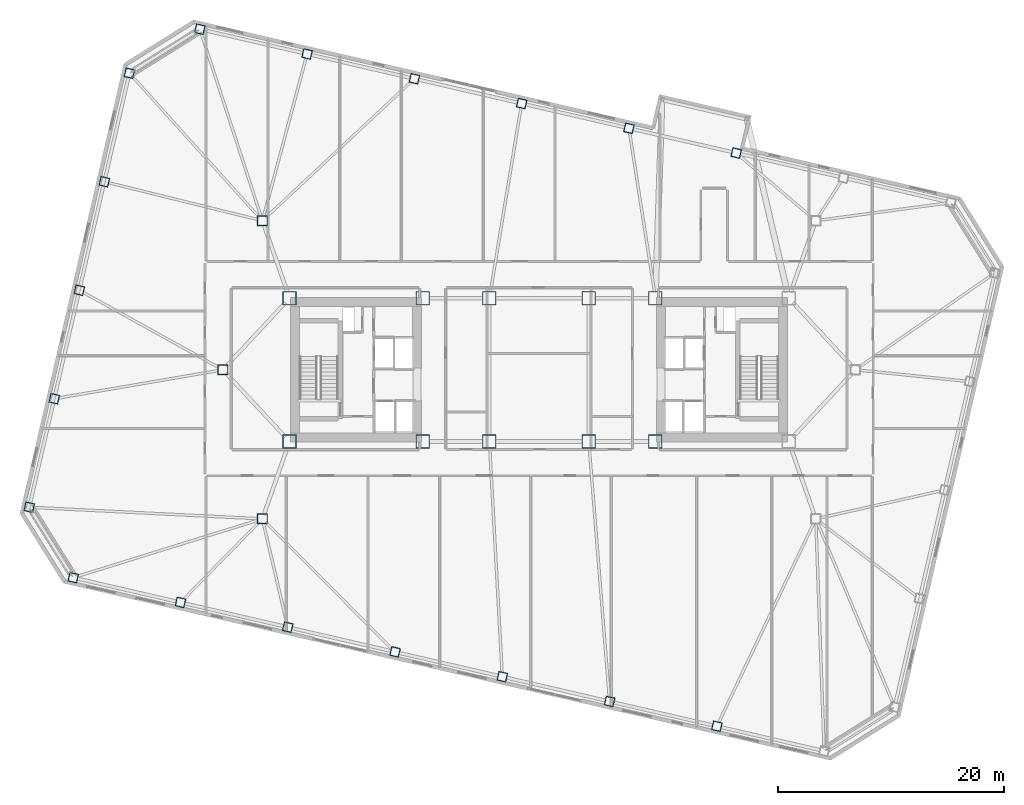
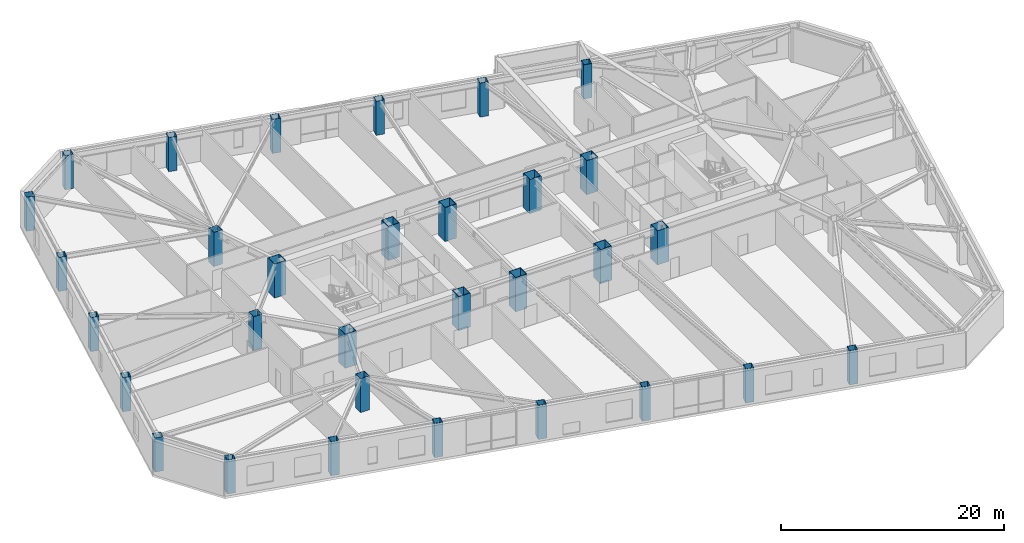
# One storey, part 1 of 20: 31 columns.
"""IFC4 building model written with IfcOpenShell, lengths in metres."""

from ifc_helpers import new_model, si_unit, direction, frame, origin, origin_2d, place, context, subcontext, project, spatial, hollow_rectangle, extrude, material, material_profile, profile_set, type_object, element, save


model = new_model("IFC4")

# Units and contexts
model_context = context("Model", 3, precision=1e-05, world=origin(), true_north=direction((0.0, 1.0)))
body_context = subcontext(model_context, "Body", "Model", "MODEL_VIEW")
ifc_project = project(units=[si_unit("LENGTHUNIT", "METRE"), si_unit("AREAUNIT", "SQUARE_METRE"), si_unit("VOLUMEUNIT", "CUBIC_METRE"), si_unit("PLANEANGLEUNIT", "RADIAN"), si_unit("MASSUNIT", "GRAM", prefix="KILO")], contexts=[model_context])

# Site, building, storey
site_placement = place(None, origin())
site = spatial("IfcSite", under=ifc_project, at=site_placement, CompositionType="ELEMENT")
building_placement = place(site_placement, origin())
building = spatial("IfcBuilding", under=site, at=building_placement, Name="Tavrogorsk Clinical Tower", CompositionType="ELEMENT")
storey_placement = place(building_placement, frame((0.0, 0.0, 67.39990234375)))
storey = spatial("IfcBuildingStorey", under=building, at=storey_placement, Name="L14", CompositionType="ELEMENT", Elevation=67.39990234375)

# Columns
ifc_material_1 = material(Name="Structural steel S440", Category="steel")
ifc_material_profile_1 = material_profile(ifc_material_1, hollow_rectangle(XDim=1.199951171875, YDim=1.199951171875, WallThickness=0.050048828125, at=origin_2d()), Name="BOX-1200x1200x50")
ifc_profile_set_1 = profile_set([ifc_material_profile_1], Name="Structural steel S440")
column_type_1 = type_object("IfcColumnType", Name="MegaCol_BOX1200", PredefinedType="COLUMN", material=ifc_profile_set_1)
for number, where, z_axis, x_axis, name in (
    (1, (-22.10009765625, -6.35009765625, 0.0), (0.0, 0.0, 1.0), (1.0, 0.0, 0.0), "L14 Mega Column MC-W1"),
    (2, (-22.10009765625, 6.35009765625, 0.0), (0.0, 0.0, 1.0), (1.0, 0.0, 0.0), "L14 Mega Column MC-W2"),
    (3, (-10.300048828125, -6.35009765625, 0.0), (0.0, 0.0, 1.0), (1.0, 0.0, 0.0), "L14 Mega Column MC-W3"),
    (4, (-10.300048828125, 6.35009765625, 0.0), (0.0, 0.0, 1.0), (1.0, 0.0, 0.0), "L14 Mega Column MC-W4"),
    (5, (10.300048828125, -6.35009765625, 0.0), (0.0, 0.0, 1.0), (1.0, 0.0, 0.0), "L14 Mega Column MC-E1"),
    (6, (10.300048828125, 6.35009765625, 0.0), (0.0, 0.0, 1.0), (1.0, 0.0, 0.0), "L14 Mega Column MC-E2"),
    (7, (-4.39990234375, -6.35009765625, 0.0), (0.0, 0.0, 1.0), (1.0, 0.0, 0.0), "L14 Mega Column MC-C1"),
    (8, (4.39990234375, -6.35009765625, 0.0), (0.0, 0.0, 1.0), (1.0, 0.0, 0.0), "L14 Mega Column MC-C2"),
    (9, (-4.39990234375, 6.35009765625, 0.0), (0.0, 0.0, 1.0), (1.0, 0.0, 0.0), "L14 Mega Column MC-C3"),
    (10, (4.39990234375, 6.35009765625, 0.0), (0.0, 0.0, 1.0), (1.0, 0.0, 0.0), "L14 Mega Column MC-C4"),
):
    element("IfcColumn", number, at=place(storey_placement, frame(where, z_axis=z_axis, x_axis=x_axis)), inside=storey, type_object=column_type_1, Name=name, PredefinedType="COLUMN", context=body_context, shape_type="SweptSolid", body=[
        extrude(hollow_rectangle(XDim=1.199951171875, YDim=1.199951171875, WallThickness=0.050048828125, at=origin_2d()), origin(), (0.0, 0.0, 1.0), 3.739990234375),
    ])
ifc_material_2 = material(Name="Structural steel S440", Category="steel")
ifc_material_profile_2 = material_profile(ifc_material_2, hollow_rectangle(XDim=0.89990234375, YDim=0.89990234375, WallThickness=0.0400390625, at=origin_2d()), Name="BOX-900x900x40")
ifc_profile_set_2 = profile_set([ifc_material_profile_2], Name="Structural steel S440")
column_type_2 = type_object("IfcColumnType", Name="MegaCol_BOX900", PredefinedType="COLUMN", material=ifc_profile_set_2)
for number, where, z_axis, x_axis, name in (
    (11, (-24.5, -13.199951171875, 0.0), (0.0, 0.0, 1.0), (1.0, 0.0, 0.0), "L14 Spine Pilotis Column MC-P1"),
    (12, (-24.5, 13.199951171875, 0.0), (0.0, 0.0, 1.0), (1.0, 0.0, 0.0), "L14 Spine Pilotis Column MC-P3"),
    (13, (-28.0, 0.0, 0.0), (0.0, 0.0, 1.0), (1.0, 0.0, 0.0), "L14 Spine Pilotis Column MC-P5"),
):
    element("IfcColumn", number, at=place(storey_placement, frame(where, z_axis=z_axis, x_axis=x_axis)), inside=storey, type_object=column_type_2, Name=name, PredefinedType="COLUMN", context=body_context, shape_type="SweptSolid", body=[
        extrude(hollow_rectangle(XDim=0.89990234375, YDim=0.89990234375, WallThickness=0.0400390625, at=origin_2d()), origin(), (0.0, 0.0, 1.0), 3.739990234375),
    ])
ifc_material_3 = material(Name="Structural steel S440", Category="steel")
ifc_material_profile_3 = material_profile(ifc_material_3, hollow_rectangle(XDim=0.800048828125, YDim=0.800048828125, WallThickness=0.035888671875, at=origin_2d()), Name="BOX-800x800x36")
ifc_profile_set_3 = profile_set([ifc_material_profile_3], Name="Structural steel S440")
column_type_3 = type_object("IfcColumnType", Name="PerimCol_B1_BOX800", PredefinedType="COLUMN", material=ifc_profile_set_3)
for number, where, z_axis, x_axis, name in (
    (14, (-41.251220703125, -18.406005859375, 0.0), (0.0, 0.0, 1.0), (0.974370064785, -0.224951054344, 0.0), "L14 Perimeter Column S1"),
    (15, (-31.75244140625, -20.598876953125, 0.0), (0.0, 0.0, 1.0), (0.974370064785, -0.224951054344, 0.0), "L14 Perimeter Column S2"),
    (16, (-22.25390625, -22.7919921875, 0.0), (0.0, 0.0, 1.0), (0.974370064785, -0.224951054344, 0.0), "L14 Perimeter Column S3"),
    (17, (-12.755126953125, -24.98486328125, 0.0), (0.0, 0.0, 1.0), (0.974370064785, -0.224951054344, 0.0), "L14 Perimeter Column S4"),
    (18, (-3.25634765625, -27.177734375, 0.0), (0.0, 0.0, 1.0), (0.974370064785, -0.224951054344, 0.0), "L14 Perimeter Column S5"),
    (19, (6.2421875, -29.37060546875, 0.0), (0.0, 0.0, 1.0), (0.974370064785, -0.224951054344, 0.0), "L14 Perimeter Column S6"),
    (20, (15.740966796875, -31.563720703125, 0.0), (0.0, 0.0, 1.0), (0.974370064785, -0.224951054344, 0.0), "L14 Perimeter Column S7"),
    (21, (17.453857421875, 19.19189453125, 0.0), (0.0, 0.0, 1.0), (0.974370064785, -0.224951054344, 0.0), "L14 Perimeter Column N3"),
    (22, (7.955078125, 21.384765625, 0.0), (0.0, 0.0, 1.0), (0.974370064785, -0.224951054344, 0.0), "L14 Perimeter Column N4"),
    (23, (-1.543701171875, 23.577880859375, 0.0), (0.0, 0.0, 1.0), (0.974370064785, -0.224951054344, 0.0), "L14 Perimeter Column N5"),
    (24, (-11.042236328125, 25.770751953125, 0.0), (0.0, 0.0, 1.0), (0.974370064785, -0.224951054344, 0.0), "L14 Perimeter Column N6"),
    (25, (-20.541015625, 27.963623046875, 0.0), (0.0, 0.0, 1.0), (0.974370064785, -0.224951054344, 0.0), "L14 Perimeter Column N7"),
    (26, (-30.039794921875, 30.156494140625, 0.0), (0.0, 0.0, 1.0), (0.974370064785, -0.224951054344, 0.0), "L14 Perimeter Column N8"),
    (27, (-36.276123046875, 26.259765625, 0.0), (0.0, 0.0, 1.0), (0.974370064785, -0.224951054344, 0.0), "L14 Perimeter Column W1"),
    (28, (-38.494140625, 16.65234375, 0.0), (0.0, 0.0, 1.0), (0.974370064785, -0.224951054344, 0.0), "L14 Perimeter Column W2"),
    (29, (-40.712158203125, 7.045166015625, 0.0), (0.0, 0.0, 1.0), (0.974370064785, -0.224951054344, 0.0), "L14 Perimeter Column W3"),
    (30, (-42.93017578125, -2.562255859375, 0.0), (0.0, 0.0, 1.0), (0.974370064785, -0.224951054344, 0.0), "L14 Perimeter Column W4"),
    (31, (-45.148193359375, -12.16943359375, 0.0), (0.0, 0.0, 1.0), (0.974370064785, -0.224951054344, 0.0), "L14 Perimeter Column W5"),
):
    element("IfcColumn", number, at=place(storey_placement, frame(where, z_axis=z_axis, x_axis=x_axis)), inside=storey, type_object=column_type_3, Name=name, PredefinedType="COLUMN", context=body_context, shape_type="SweptSolid", body=[
        extrude(hollow_rectangle(XDim=0.800048828125, YDim=0.800048828125, WallThickness=0.035888671875, at=origin_2d()), origin(), (0.0, 0.0, 1.0), 3.739990234375),
    ])

save(model, "model.ifc")
